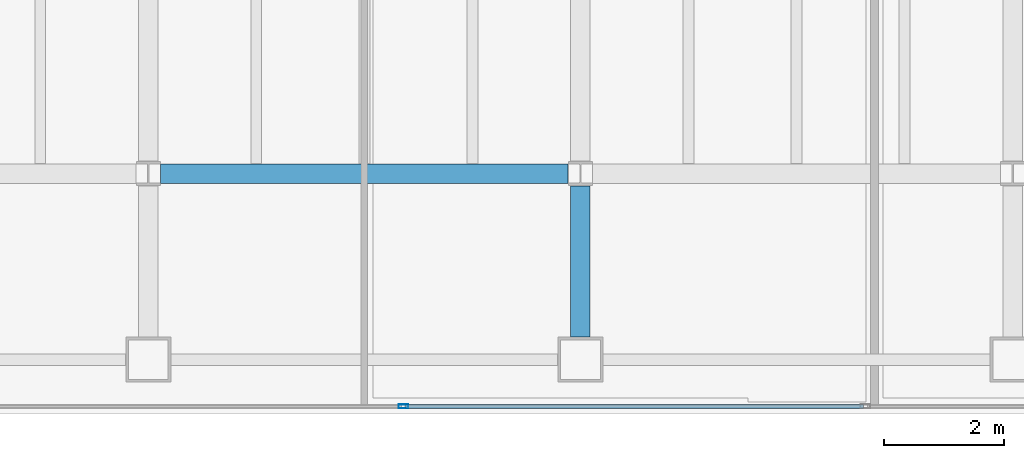
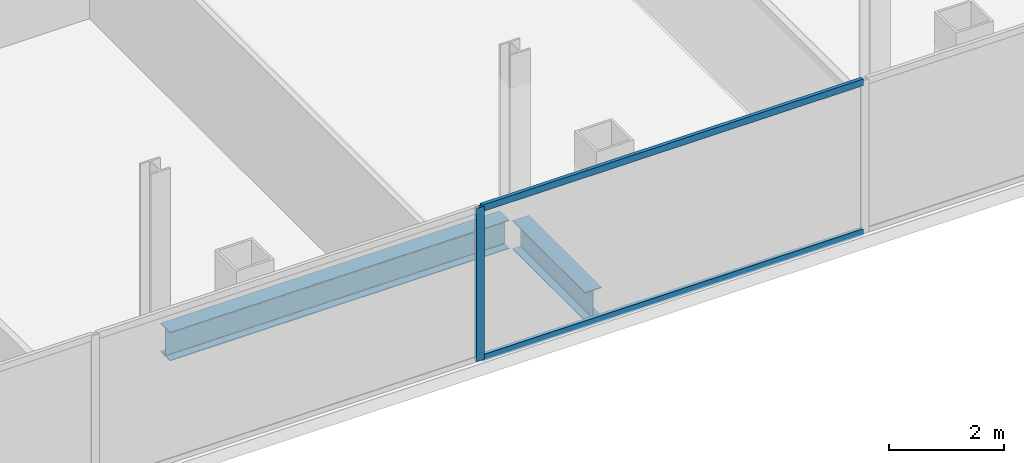
# One storey, part 6 of 23: 3 members, 2 beams, 1 element without a shape of its own.
"""IFC4 building model written with IfcOpenShell, lengths in metres."""

from ifc_helpers import new_model, si_unit, direction, frame, origin, origin_2d, place, context, subcontext, project, spatial, hollow_rectangle, i_section, extrude, material, material_profile, profile_set, type_object, element, aggregate, save


model = new_model("IFC4")

# Units and contexts
model_context = context("Model", 3, precision=1e-05, world=origin(), true_north=direction((0.0, 1.0)))
body_context = subcontext(model_context, "Body", "Model", "MODEL_VIEW")
ifc_project = project(units=[si_unit("LENGTHUNIT", "METRE"), si_unit("AREAUNIT", "SQUARE_METRE"), si_unit("VOLUMEUNIT", "CUBIC_METRE"), si_unit("PLANEANGLEUNIT", "RADIAN"), si_unit("MASSUNIT", "GRAM", prefix="KILO")], contexts=[model_context])

# Site, building, storey
site_placement = place(None, origin())
site = spatial("IfcSite", under=ifc_project, at=site_placement, CompositionType="ELEMENT")
building_placement = place(site_placement, origin())
building = spatial("IfcBuilding", under=site, at=building_placement, Name="Cobrela Telecom Tower", CompositionType="ELEMENT")
storey_placement = place(building_placement, frame((0.0, 0.0, 208.25)))
storey = spatial("IfcBuildingStorey", under=building, at=storey_placement, Name="L53", CompositionType="ELEMENT", Elevation=208.25)

# Beams
ifc_material_1 = material(Name="Steel ASTM A992 Grade 50", Category="steel")
ifc_material_profile_1 = material_profile(ifc_material_1, i_section(OverallWidth=0.324951171875, OverallDepth=0.612060546875, WebThickness=0.0126953125, FlangeThickness=0.01904296875, FilletRadius=0.014892578125, at=origin_2d()), Name="W24X104")
ifc_profile_set_1 = profile_set([ifc_material_profile_1], Name="Steel ASTM A992 Grade 50")
beam_type = type_object("IfcBeamType", Name="BM-GIRD-07", PredefinedType="USERDEFINED", material=ifc_profile_set_1)
beam_1_placement = place(storey_placement, frame((21.804443359375, 7.199951171875, -0.56591796875), z_axis=(1.0, 0.0, 0.0), x_axis=(0.0, 1.0, 0.0)))
element("IfcBeam", 1, at=beam_1_placement, inside=storey, type_object=beam_type, Name="L53 Primary Girder X08", ObjectType="GIRDER", PredefinedType="USERDEFINED", context=body_context, shape_type="SweptSolid", body=[
    extrude(i_section(OverallWidth=0.324951171875, OverallDepth=0.612060546875, WebThickness=0.0126953125, FlangeThickness=0.01904296875, FilletRadius=0.014892578125, at=origin_2d()), origin(), (0.0, 0.0, 1.0), 6.791015625),
])
beam_2_placement = place(storey_placement, frame((28.800048828125, 4.47998046875, -0.56591796875), z_axis=(0.0, 1.0, 0.0), x_axis=(-1.0, 0.0, 0.0)))
element("IfcBeam", 2, at=beam_2_placement, inside=storey, type_object=beam_type, Name="L53 Primary Girder Y36", ObjectType="GIRDER", PredefinedType="USERDEFINED", context=body_context, shape_type="SweptSolid", body=[
    extrude(i_section(OverallWidth=0.324951171875, OverallDepth=0.612060546875, WebThickness=0.0126953125, FlangeThickness=0.01904296875, FilletRadius=0.014892578125, at=origin_2d()), origin(), (0.0, 0.0, 1.0), 2.515625),
])

# Curtain wall, members
ifc_material_2 = material(Name="Anodized Bronze Aluminium 6063-T6", Category="aluminium")
curtain_wall_type = type_object("IfcCurtainWallType", Name="CW-SYS-OFF-LO", PredefinedType="USERDEFINED", material=ifc_material_2)
curtain_wall_placement = place(storey_placement, origin())
curtain_wall = element("IfcCurtainWall", 3, at=curtain_wall_placement, inside=storey, type_object=curtain_wall_type, Name="L53 Unitised Bronze Curtain Wall 17", ObjectType="UNITISED CURTAIN WALL", PredefinedType="USERDEFINED")
ifc_material_profile_2 = material_profile(ifc_material_2, hollow_rectangle(XDim=0.070068359375, YDim=0.159912109375, WallThickness=0.00390625, at=origin_2d()), Name="ALU 70x160x4")
ifc_profile_set_2 = profile_set([ifc_material_profile_2], Name="Anodized Bronze Aluminium 6063-T6")
member_type_1 = type_object("IfcMemberType", Name="CW-SYS-OFF-LO-MUL", PredefinedType="MULLION", material=ifc_profile_set_2)
member_1_placement = place(storey_placement, frame((25.85009765625, 3.320068359375, 0.0), z_axis=(0.0, 0.0, 1.0), x_axis=(0.0, -1.0, 0.0)))
member_1 = element("IfcMember", 4, at=member_1_placement, type_object=member_type_1, Name="CW-OFF-LO mullion 3", PredefinedType="MULLION", context=body_context, shape_type="SweptSolid", body=[
    extrude(hollow_rectangle(XDim=0.070068359375, YDim=0.159912109375, WallThickness=0.00390625, at=origin_2d()), origin(), (0.0, 0.0, 1.0), 3.239990234375),
])
ifc_material_profile_3 = material_profile(ifc_material_2, hollow_rectangle(XDim=0.070068359375, YDim=0.139892578125, WallThickness=0.00390625, at=origin_2d()), Name="ALU 70x140x4")
ifc_profile_set_3 = profile_set([ifc_material_profile_3], Name="Anodized Bronze Aluminium 6063-T6")
member_type_2 = type_object("IfcMemberType", Name="CW-SYS-OFF-LO-TRN", PredefinedType="USERDEFINED", material=ifc_profile_set_3)
member_2_placement = place(storey_placement, frame((33.514892578125, 3.320068359375, 0.034912109375), z_axis=(-1.0, 0.0, 0.0), x_axis=(0.0, -1.0, 0.0)))
member_2 = element("IfcMember", 5, at=member_2_placement, type_object=member_type_2, Name="CW-OFF-LO transom 2.1", ObjectType="TRANSOM", PredefinedType="USERDEFINED", context=body_context, shape_type="SweptSolid", body=[
    extrude(hollow_rectangle(XDim=0.070068359375, YDim=0.139892578125, WallThickness=0.00390625, at=origin_2d()), origin(), (0.0, 0.0, 1.0), 7.6298828125),
])
member_3_placement = place(storey_placement, frame((33.514892578125, 3.320068359375, 3.205078125), z_axis=(-1.0, 0.0, 0.0), x_axis=(0.0, -1.0, 0.0)))
member_3 = element("IfcMember", 6, at=member_3_placement, type_object=member_type_2, Name="CW-OFF-LO transom 2.2", ObjectType="TRANSOM", PredefinedType="USERDEFINED", context=body_context, shape_type="SweptSolid", body=[
    extrude(hollow_rectangle(XDim=0.070068359375, YDim=0.139892578125, WallThickness=0.00390625, at=origin_2d()), origin(), (0.0, 0.0, 1.0), 7.6298828125),
])
aggregate(curtain_wall, [member_1, member_2, member_3])

save(model, "model.ifc")
